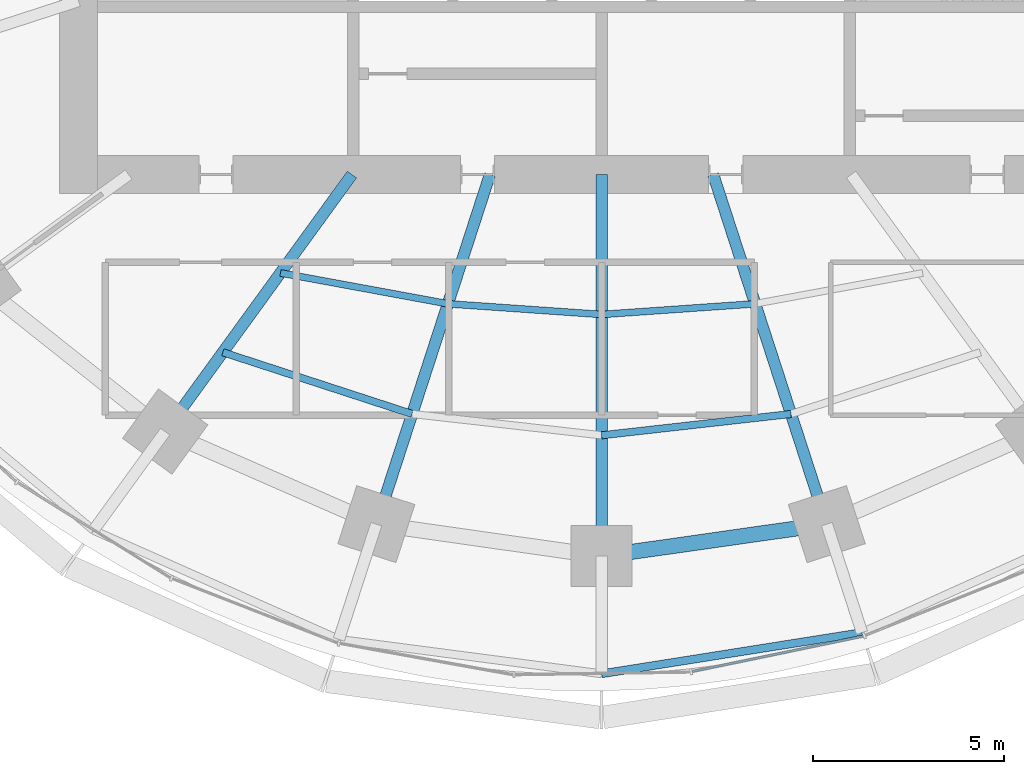
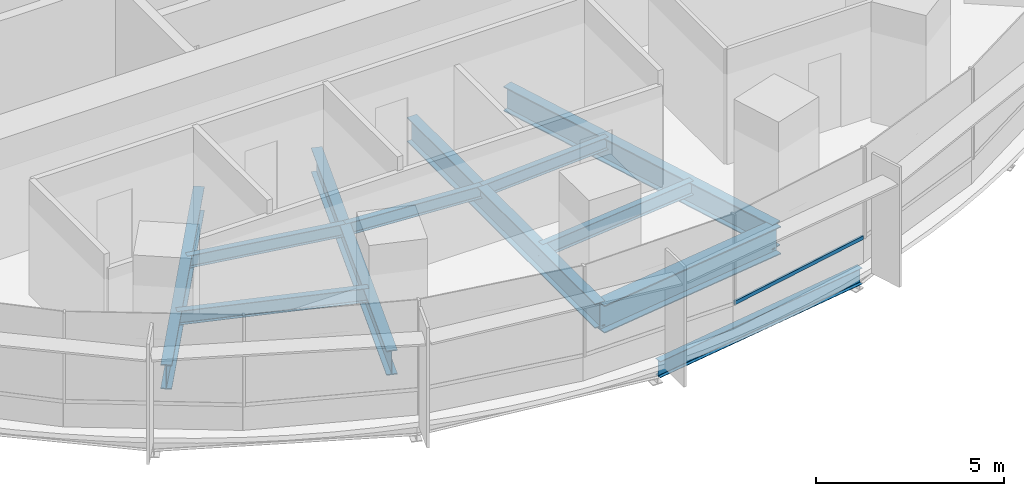
# One storey, part 3 of 14: 11 beams, 1 member, 1 element without a shape of its own.
"""IFC4 building model written with IfcOpenShell, lengths in metres."""

from ifc_helpers import new_model, si_unit, direction, frame, origin, origin_2d, place, context, subcontext, project, spatial, rectangle, i_section, extrude, material, material_profile, profile_set, type_object, element, aggregate, save


model = new_model("IFC4")

# Units and contexts
model_context = context("Model", 3, precision=1e-05, world=origin(), true_north=direction((0.0, 1.0)))
body_context = subcontext(model_context, "Body", "Model", "MODEL_VIEW")
ifc_project = project(units=[si_unit("LENGTHUNIT", "METRE"), si_unit("AREAUNIT", "SQUARE_METRE"), si_unit("VOLUMEUNIT", "CUBIC_METRE"), si_unit("PLANEANGLEUNIT", "RADIAN"), si_unit("MASSUNIT", "GRAM", prefix="KILO")], contexts=[model_context])

# Site, building, storey
site_placement = place(None, origin())
site = spatial("IfcSite", under=ifc_project, at=site_placement, CompositionType="ELEMENT")
building_placement = place(site_placement, origin())
building = spatial("IfcBuilding", under=site, at=building_placement, Name="Marramba Exchange Tower", CompositionType="ELEMENT")
storey_placement = place(building_placement, frame((0.0, 0.0, 135.300048828125)))
storey = spatial("IfcBuildingStorey", under=building, at=storey_placement, Name="L32", CompositionType="ELEMENT", Elevation=135.300048828125)

# Beams
ifc_material_1 = material(Name="Steel AS/NZS 3679.1 grade 300", Category="steel")
ifc_material_profile_1 = material_profile(ifc_material_1, i_section(OverallWidth=0.177978515625, OverallDepth=0.406005859375, WebThickness=0.0078125, FlangeThickness=0.0126953125, FilletRadius=0.011474609375, at=origin_2d()), Name="410UB59.7")
ifc_profile_set_1 = profile_set([ifc_material_profile_1], Name="Steel AS/NZS 3679.1 grade 300")
beam_type_1 = type_object("IfcBeamType", Name="Floor joist 410UB59.7", PredefinedType="JOIST", material=ifc_profile_set_1)
beam_1_placement = place(storey_placement, frame((-8.41162109375, -11.57763671875, -0.363037109375), z_axis=(0.983455754421, -0.181148500119, 0.0), x_axis=(0.181148500119, 0.983455754421, 0.0)))
element("IfcBeam", 1, at=beam_1_placement, inside=storey, type_object=beam_type_1, Name="Joist L32 bay 14 row 1", PredefinedType="JOIST", context=body_context, shape_type="SweptSolid", body=[
    extrude(i_section(OverallWidth=0.177978515625, OverallDepth=0.406005859375, WebThickness=0.0078125, FlangeThickness=0.0126953125, FilletRadius=0.011474609375, at=origin_2d()), origin(), (0.0, 0.0, 1.0), 4.4609375),
])
for number, where, z_axis, x_axis, name in (
    (2, (-4.0244140625, -12.3857421875, -0.363037109375), (0.99759625901, -0.069294328838, 0.0), (0.069294328838, 0.99759625901, 0.0), "Joist L32 bay 15 row 1"),
    (3, (0.0, -12.665283203125, -0.363037109375), (0.99759625901, 0.069294328838, 0.0), (-0.069294328838, 0.99759625901, 0.0), "Joist L32 bay 16 row 1"),
):
    element("IfcBeam", number, at=place(storey_placement, frame(where, z_axis=z_axis, x_axis=x_axis)), inside=storey, type_object=beam_type_1, Name=name, PredefinedType="JOIST", context=body_context, shape_type="SweptSolid", body=[
        extrude(i_section(OverallWidth=0.177978515625, OverallDepth=0.406005859375, WebThickness=0.0078125, FlangeThickness=0.0126953125, FilletRadius=0.011474609375, at=origin_2d()), origin(), (0.0, 0.0, 1.0), 4.0341796875),
    ])
ifc_material_profile_2 = material_profile(ifc_material_1, i_section(OverallWidth=0.18994140625, OverallDepth=0.4541015625, WebThickness=0.008544921875, FlangeThickness=0.0126953125, FilletRadius=0.011474609375, at=origin_2d()), Name="460UB67.1")
ifc_profile_set_2 = profile_set([ifc_material_profile_2], Name="Steel AS/NZS 3679.1 grade 300")
beam_type_2 = type_object("IfcBeamType", Name="Floor joist 460UB67.1", PredefinedType="JOIST", material=ifc_profile_set_2)
beam_2_placement = place(storey_placement, frame((-9.9208984375, -13.655029296875, -0.386962890625), z_axis=(0.950764024931, -0.309915744834, 0.0), x_axis=(0.309915744834, 0.950764024931, 0.0)))
element("IfcBeam", 4, at=beam_2_placement, inside=storey, type_object=beam_type_2, Name="Joist L32 bay 14 row 2", PredefinedType="JOIST", context=body_context, shape_type="SweptSolid", body=[
    extrude(i_section(OverallWidth=0.18994140625, OverallDepth=0.4541015625, WebThickness=0.008544921875, FlangeThickness=0.0126953125, FilletRadius=0.011474609375, at=origin_2d()), origin(), (0.0, 0.0, 1.0), 5.2158203125),
])
beam_3_placement = place(storey_placement, frame((0.0, -15.83056640625, -0.386962890625), z_axis=(0.993712018573, 0.111966174106, 0.0), x_axis=(-0.111966174106, 0.993712018573, 0.0)))
element("IfcBeam", 5, at=beam_3_placement, inside=storey, type_object=beam_type_2, Name="Joist L32 bay 16 row 2", PredefinedType="JOIST", context=body_context, shape_type="SweptSolid", body=[
    extrude(i_section(OverallWidth=0.18994140625, OverallDepth=0.4541015625, WebThickness=0.008544921875, FlangeThickness=0.0126953125, FilletRadius=0.011474609375, at=origin_2d()), origin(), (0.0, 0.0, 1.0), 4.993408203125),
])

# Curtain wall, member
ifc_material_2 = material(Name="Aluminium framing, bronze anodised", Category="aluminium")
curtain_wall_type = type_object("IfcCurtainWallType", Name="Office ribbon curtain wall", PredefinedType="USERDEFINED", material=ifc_material_2)
curtain_wall_placement = place(storey_placement, origin())
curtain_wall = element("IfcCurtainWall", 6, at=curtain_wall_placement, inside=storey, type_object=curtain_wall_type, Name="Curtain wall CW4 L32 F21-F25", ObjectType="RIBBON CURTAIN WALL", PredefinedType="USERDEFINED")
ifc_material_3 = material(Name="Aluminium transom, bronze anodised", Category="aluminium")
ifc_material_profile_3 = material_profile(ifc_material_3, rectangle(XDim=0.06005859375, YDim=0.1201171875, at=origin_2d()), Name="CW4 transom 60x120")
ifc_profile_set_3 = profile_set([ifc_material_profile_3], Name="Aluminium transom, bronze anodised")
member_type = type_object("IfcMemberType", Name="Office ribbon curtain wall transom", PredefinedType="USERDEFINED", material=ifc_profile_set_3)
member_placement = place(storey_placement, frame((2.374267578125, -22.017822265625, 0.829833984375), z_axis=(0.979310422034, 0.202363774661, 0.0), x_axis=(-0.202363774661, 0.979310422034, 0.0)))
member = element("IfcMember", 7, at=member_placement, type_object=member_type, Name="CW4 sill transom", ObjectType="TRANSOM", PredefinedType="USERDEFINED", context=body_context, shape_type="SweptSolid", body=[
    extrude(rectangle(XDim=0.06005859375, YDim=0.1201171875, at=origin_2d()), origin(), (0.0, 0.0, 1.0), 4.57373046875),
])
aggregate(curtain_wall, [member])

# Beams
ifc_material_4 = material(Name="Steel AS/NZS 3679.2 grade 300", Category="steel")
ifc_material_profile_4 = material_profile(ifc_material_4, i_section(OverallWidth=0.300048828125, OverallDepth=0.800048828125, WebThickness=0.013916015625, FlangeThickness=0.031982421875, at=origin_2d()), Name="800WB192")
ifc_profile_set_4 = profile_set([ifc_material_profile_4], Name="Steel AS/NZS 3679.2 grade 300")
beam_type_3 = type_object("IfcBeamType", Name="Radial girder 800WB192", PredefinedType="BEAM", material=ifc_profile_set_4)
beam_4_placement = place(storey_placement, frame((-6.538818359375, -9.0, -0.56005859375), z_axis=(-0.587787877172, -0.809015087282, 0.0), x_axis=(0.809015087282, -0.587787877172, 0.0)))
element("IfcBeam", 8, at=beam_4_placement, inside=storey, type_object=beam_type_3, Name="Radial girder L32 TC14", PredefinedType="BEAM", context=body_context, shape_type="SweptSolid", body=[
    extrude(i_section(OverallWidth=0.300048828125, OverallDepth=0.800048828125, WebThickness=0.013916015625, FlangeThickness=0.031982421875, at=origin_2d()), origin(), (0.0, 0.0, 1.0), 8.322021484375),
])
beam_5_placement = place(storey_placement, frame((-2.92431640625, -9.0, -0.56005859375), z_axis=(-0.309022428985, -0.951054750466, 0.0), x_axis=(0.951054750466, -0.309022428985, 0.0)))
element("IfcBeam", 9, at=beam_5_placement, inside=storey, type_object=beam_type_3, Name="Radial girder L32 TC15", PredefinedType="BEAM", context=body_context, shape_type="SweptSolid", body=[
    extrude(i_section(OverallWidth=0.300048828125, OverallDepth=0.800048828125, WebThickness=0.013916015625, FlangeThickness=0.031982421875, at=origin_2d()), origin(), (0.0, 0.0, 1.0), 9.628173828125),
])
beam_6_placement = place(storey_placement, frame((0.0, -9.0, -0.56005859375), z_axis=(0.0, -1.0, 0.0), x_axis=(1.0, 0.0, 0.0)))
element("IfcBeam", 10, at=beam_6_placement, inside=storey, type_object=beam_type_3, Name="Radial girder L32 TC16", PredefinedType="BEAM", context=body_context, shape_type="SweptSolid", body=[
    extrude(i_section(OverallWidth=0.300048828125, OverallDepth=0.800048828125, WebThickness=0.013916015625, FlangeThickness=0.031982421875, at=origin_2d()), origin(), (0.0, 0.0, 1.0), 9.99609375),
])
beam_7_placement = place(storey_placement, frame((2.92431640625, -9.0, -0.56005859375), z_axis=(0.309022428985, -0.951054750466, 0.0), x_axis=(0.951054750466, 0.309022428985, 0.0)))
element("IfcBeam", 11, at=beam_7_placement, inside=storey, type_object=beam_type_3, Name="Radial girder L32 TC17", PredefinedType="BEAM", context=body_context, shape_type="SweptSolid", body=[
    extrude(i_section(OverallWidth=0.300048828125, OverallDepth=0.800048828125, WebThickness=0.013916015625, FlangeThickness=0.031982421875, at=origin_2d()), origin(), (0.0, 0.0, 1.0), 9.628173828125),
])
ifc_material_profile_5 = material_profile(ifc_material_4, i_section(OverallWidth=0.39990234375, OverallDepth=0.89990234375, WebThickness=0.01611328125, FlangeThickness=0.031982421875, at=origin_2d()), Name="900WB282")
ifc_profile_set_5 = profile_set([ifc_material_profile_5], Name="Steel AS/NZS 3679.2 grade 300")
beam_type_4 = type_object("IfcBeamType", Name="Ring beam 900WB282", PredefinedType="SPANDREL", material=ifc_profile_set_5)
beam_8_placement = place(storey_placement, frame((0.0, -18.99609375, -0.610107421875), z_axis=(0.990036163016, 0.140813337152, 0.0), x_axis=(-0.140813337152, 0.990036163016, 0.0)))
element("IfcBeam", 12, at=beam_8_placement, inside=storey, type_object=beam_type_4, Name="Ring beam L32 TC16-TC17", PredefinedType="SPANDREL", context=body_context, shape_type="SweptSolid", body=[
    extrude(i_section(OverallWidth=0.39990234375, OverallDepth=0.89990234375, WebThickness=0.01611328125, FlangeThickness=0.031982421875, at=origin_2d()), origin(), (0.0, 0.0, 1.0), 5.958984375),
])
ifc_material_profile_6 = material_profile(ifc_material_1, i_section(OverallWidth=0.208984375, OverallDepth=0.528076171875, WebThickness=0.009521484375, FlangeThickness=0.01318359375, FilletRadius=0.013916015625, at=origin_2d()), Name="530UB82.0")
ifc_profile_set_6 = profile_set([ifc_material_profile_6], Name="Steel AS/NZS 3679.1 grade 300")
beam_type_5 = type_object("IfcBeamType", Name="Slab edge beam 530UB82.0", PredefinedType="SPANDREL", material=ifc_profile_set_6)
beam_9_placement = place(storey_placement, frame((0.0, -22.076904296875, -0.424072265625), z_axis=(0.987705008555, 0.15632919137, 0.0), x_axis=(-0.15632919137, 0.987705008555, 0.0)))
element("IfcBeam", 13, at=beam_9_placement, inside=storey, type_object=beam_type_5, Name="Slab edge beam L32 TC16-TC17", PredefinedType="SPANDREL", context=body_context, shape_type="SweptSolid", body=[
    extrude(i_section(OverallWidth=0.208984375, OverallDepth=0.528076171875, WebThickness=0.009521484375, FlangeThickness=0.01318359375, FilletRadius=0.013916015625, at=origin_2d()), origin(), (0.0, 0.0, 1.0), 6.907470703125),
])

save(model, "model.ifc")
